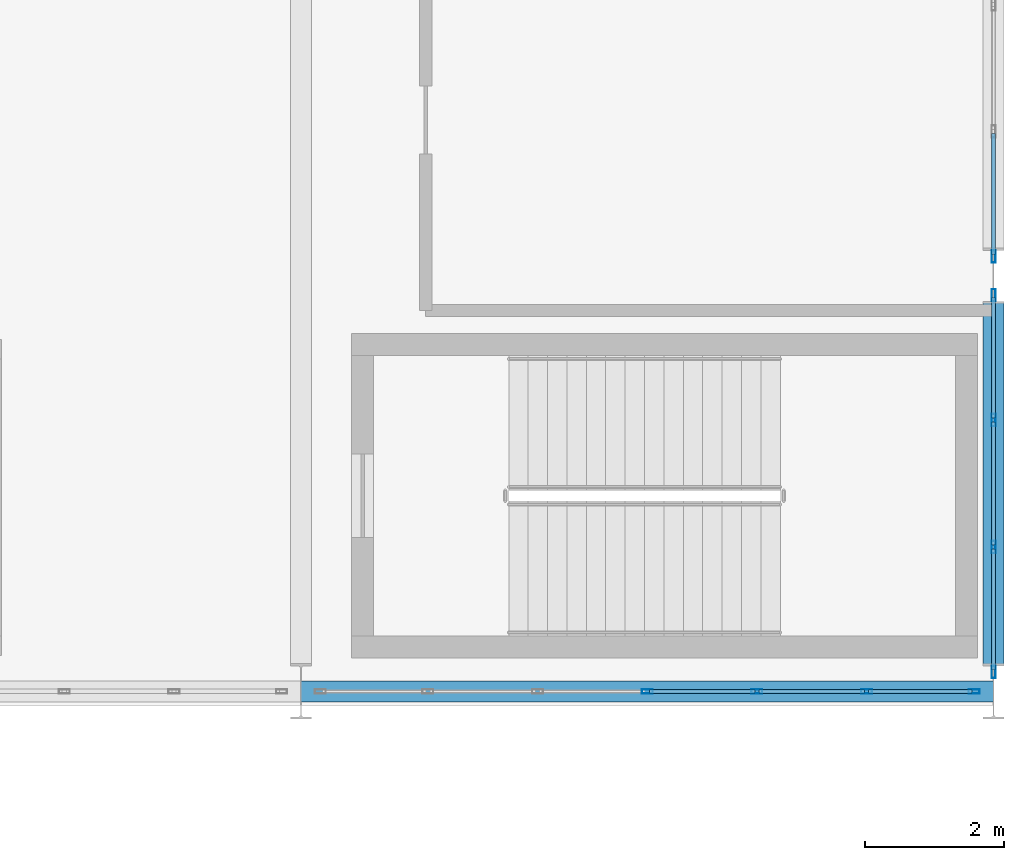
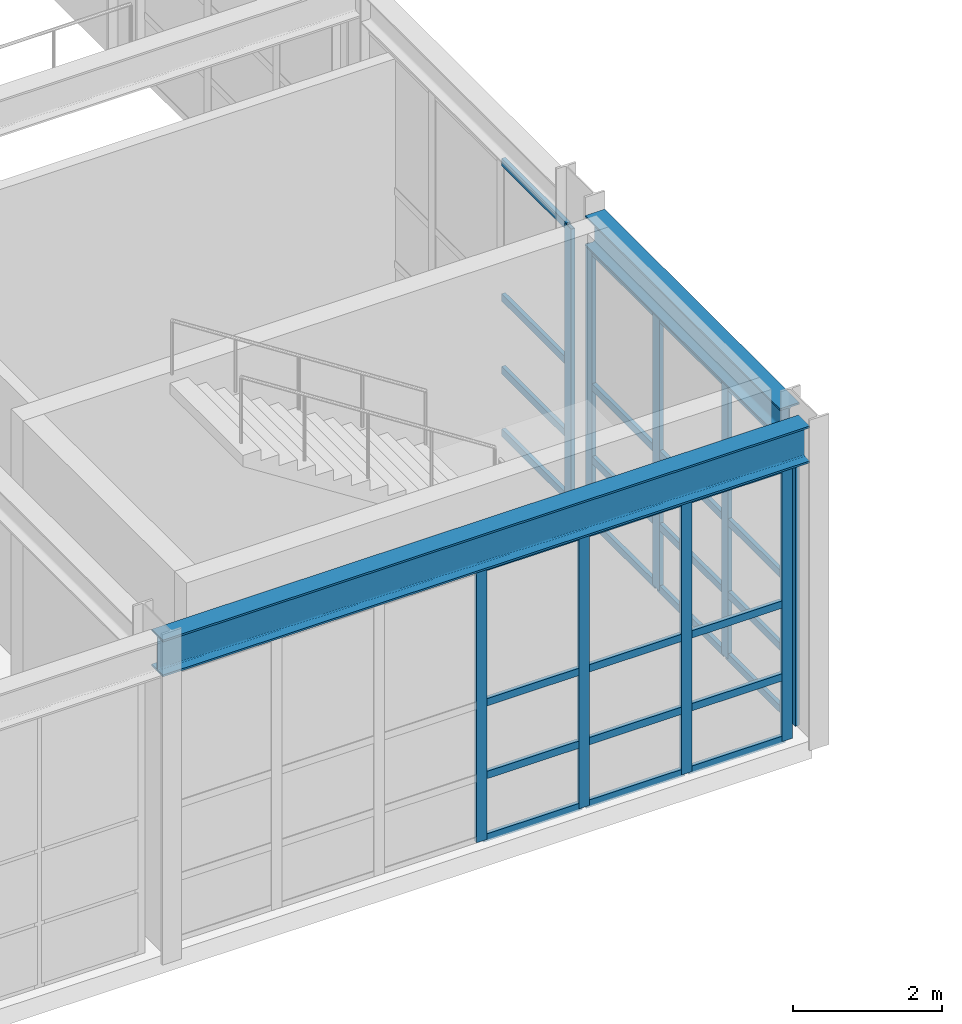
# One storey, part 115 of 210: 37 members, 2 beams, 3 elements without a shape of their own.
"""IFC4 building model written with IfcOpenShell, lengths in metres."""

from ifc_helpers import new_model, si_unit, direction, frame, origin, origin_2d, place, context, subcontext, project, spatial, hollow_rectangle, i_section, extrude, material, material_profile, profile_set, type_object, element, aggregate, save


model = new_model("IFC4")

# Units and contexts
model_context = context("Model", 3, precision=1e-05, world=origin(), true_north=direction((0.0, 1.0)))
body_context = subcontext(model_context, "Body", "Model", "MODEL_VIEW")
ifc_project = project(units=[si_unit("LENGTHUNIT", "METRE"), si_unit("AREAUNIT", "SQUARE_METRE"), si_unit("VOLUMEUNIT", "CUBIC_METRE"), si_unit("PLANEANGLEUNIT", "RADIAN"), si_unit("MASSUNIT", "GRAM", prefix="KILO")], contexts=[model_context])

# Site, building, storey
site_placement = place(None, origin())
site = spatial("IfcSite", under=ifc_project, at=site_placement, CompositionType="ELEMENT")
building_placement = place(site_placement, origin())
building = spatial("IfcBuilding", under=site, at=building_placement, Name="Kaldris Quays Convention Centre", CompositionType="ELEMENT")
storey_placement = place(building_placement, frame((0.0, 0.0, 6.0)))
storey = spatial("IfcBuildingStorey", under=building, at=storey_placement, Name="L01", CompositionType="ELEMENT", Elevation=6.0)

# Curtain wall, members
ifc_material_1 = material(Name="Anodized aluminium AW-6060 and triple glazing", Category="aluminium")
curtain_wall_type_1 = type_object("IfcCurtainWallType", Name="UNITISED CURTAIN WALL CW01", PredefinedType="NOTDEFINED", material=ifc_material_1)
curtain_wall_1_placement = place(storey_placement, origin())
curtain_wall_1 = element("IfcCurtainWall", 1, at=curtain_wall_1_placement, inside=storey, type_object=curtain_wall_type_1, Name="L01 Unitised Curtain Wall CW01 25", PredefinedType="NOTDEFINED")
ifc_material_2 = material(Name="Anodized aluminium AW-6060", Category="aluminium")
ifc_material_profile_1 = material_profile(ifc_material_2, hollow_rectangle(XDim=0.06005859375, YDim=0.159912109375, WallThickness=0.00390625, at=origin_2d()), Name="RHS 160x60x4")
ifc_profile_set_1 = profile_set([ifc_material_profile_1], Name="Anodized aluminium AW-6060")
member_type_1 = type_object("IfcMemberType", Name="CURTAIN MULLION CWM1", PredefinedType="MULLION", material=ifc_profile_set_1)
member_1_placement = place(storey_placement, frame((199.0, 56.0, 0.0), z_axis=(0.0, 0.0, 1.0), x_axis=(0.0, 1.0, 0.0)))
member_1 = element("IfcMember", 2, at=member_1_placement, type_object=member_type_1, Name="CW01 mullion 4", PredefinedType="MULLION", context=body_context, shape_type="SweptSolid", body=[
    extrude(hollow_rectangle(XDim=0.06005859375, YDim=0.159912109375, WallThickness=0.00390625, at=origin_2d()), origin(), (0.0, 0.0, 1.0), 4.47802734375),
])
member_2_placement = place(storey_placement, frame((200.583251953125, 56.0, 0.0), z_axis=(0.0, 0.0, 1.0), x_axis=(0.0, 1.0, 0.0)))
member_2 = element("IfcMember", 3, at=member_2_placement, type_object=member_type_1, Name="CW01 mullion 5", PredefinedType="MULLION", context=body_context, shape_type="SweptSolid", body=[
    extrude(hollow_rectangle(XDim=0.06005859375, YDim=0.159912109375, WallThickness=0.00390625, at=origin_2d()), origin(), (0.0, 0.0, 1.0), 4.47802734375),
])
member_3_placement = place(storey_placement, frame((202.166748046875, 56.0, 0.0), z_axis=(0.0, 0.0, 1.0), x_axis=(0.0, 1.0, 0.0)))
member_3 = element("IfcMember", 4, at=member_3_placement, type_object=member_type_1, Name="CW01 mullion 6", PredefinedType="MULLION", context=body_context, shape_type="SweptSolid", body=[
    extrude(hollow_rectangle(XDim=0.06005859375, YDim=0.159912109375, WallThickness=0.00390625, at=origin_2d()), origin(), (0.0, 0.0, 1.0), 4.47802734375),
])
member_4_placement = place(storey_placement, frame((203.719970703125, 56.0, 0.0), z_axis=(0.0, 0.0, 1.0), x_axis=(0.0, 1.0, 0.0)))
member_4 = element("IfcMember", 5, at=member_4_placement, type_object=member_type_1, Name="CW01 mullion 7", PredefinedType="MULLION", context=body_context, shape_type="SweptSolid", body=[
    extrude(hollow_rectangle(XDim=0.06005859375, YDim=0.159912109375, WallThickness=0.00390625, at=origin_2d()), origin(), (0.0, 0.0, 1.0), 4.47802734375),
])

curtain_wall_type_2 = type_object("IfcCurtainWallType", Name="UNITISED CURTAIN WALL CW02", PredefinedType="NOTDEFINED", material=ifc_material_1)
curtain_wall_2_placement = place(storey_placement, origin())
curtain_wall_2 = element("IfcCurtainWall", 6, at=curtain_wall_2_placement, inside=storey, type_object=curtain_wall_type_2, Name="L01 Unitised Curtain Wall CW02 26", PredefinedType="NOTDEFINED")
ifc_material_profile_2 = material_profile(ifc_material_2, hollow_rectangle(XDim=0.06005859375, YDim=0.179931640625, WallThickness=0.0048828125, at=origin_2d()), Name="RHS 180x60x5")
ifc_profile_set_2 = profile_set([ifc_material_profile_2], Name="Anodized aluminium AW-6060")
member_type_2 = type_object("IfcMemberType", Name="CURTAIN MULLION CWM2", PredefinedType="MULLION", material=ifc_profile_set_2)
member_5_placement = place(storey_placement, frame((204.0, 56.280029296875, 0.0), z_axis=(0.0, 0.0, 1.0), x_axis=(-1.0, 0.0, 0.0)))
member_5 = element("IfcMember", 7, at=member_5_placement, type_object=member_type_2, Name="CW02 mullion 1", PredefinedType="MULLION", context=body_context, shape_type="SweptSolid", body=[
    extrude(hollow_rectangle(XDim=0.06005859375, YDim=0.179931640625, WallThickness=0.0048828125, at=origin_2d()), origin(), (0.0, 0.0, 1.0), 4.47802734375),
])
member_6_placement = place(storey_placement, frame((204.0, 58.083251953125, 0.0), z_axis=(0.0, 0.0, 1.0), x_axis=(-1.0, 0.0, 0.0)))
member_6 = element("IfcMember", 8, at=member_6_placement, type_object=member_type_2, Name="CW02 mullion 2", PredefinedType="MULLION", context=body_context, shape_type="SweptSolid", body=[
    extrude(hollow_rectangle(XDim=0.06005859375, YDim=0.179931640625, WallThickness=0.0048828125, at=origin_2d()), origin(), (0.0, 0.0, 1.0), 4.47802734375),
])
member_7_placement = place(storey_placement, frame((204.0, 59.916748046875, 0.0), z_axis=(0.0, 0.0, 1.0), x_axis=(-1.0, 0.0, 0.0)))
member_7 = element("IfcMember", 9, at=member_7_placement, type_object=member_type_2, Name="CW02 mullion 3", PredefinedType="MULLION", context=body_context, shape_type="SweptSolid", body=[
    extrude(hollow_rectangle(XDim=0.06005859375, YDim=0.179931640625, WallThickness=0.0048828125, at=origin_2d()), origin(), (0.0, 0.0, 1.0), 4.47802734375),
])
member_8_placement = place(storey_placement, frame((204.0, 61.719970703125, 0.0), z_axis=(0.0, 0.0, 1.0), x_axis=(-1.0, 0.0, 0.0)))
member_8 = element("IfcMember", 10, at=member_8_placement, type_object=member_type_2, Name="CW02 mullion 4", PredefinedType="MULLION", context=body_context, shape_type="SweptSolid", body=[
    extrude(hollow_rectangle(XDim=0.06005859375, YDim=0.179931640625, WallThickness=0.0048828125, at=origin_2d()), origin(), (0.0, 0.0, 1.0), 4.47802734375),
])

# Curtain wall, member
curtain_wall_3_placement = place(storey_placement, origin())
curtain_wall_3 = element("IfcCurtainWall", 11, at=curtain_wall_3_placement, inside=storey, type_object=curtain_wall_type_2, Name="L01 Unitised Curtain Wall CW02 27", PredefinedType="NOTDEFINED")
member_9_placement = place(storey_placement, frame((204.0, 62.280029296875, 0.0), z_axis=(0.0, 0.0, 1.0), x_axis=(-1.0, 0.0, 0.0)))
member_9 = element("IfcMember", 12, at=member_9_placement, type_object=member_type_2, Name="CW02 mullion 1", PredefinedType="MULLION", context=body_context, shape_type="SweptSolid", body=[
    extrude(hollow_rectangle(XDim=0.06005859375, YDim=0.179931640625, WallThickness=0.0048828125, at=origin_2d()), origin(), (0.0, 0.0, 1.0), 4.47802734375),
])

# Member
ifc_material_profile_3 = material_profile(ifc_material_2, hollow_rectangle(XDim=0.06005859375, YDim=0.1201171875, WallThickness=0.00390625, at=origin_2d()), Name="RHS 120x60x4")
ifc_profile_set_3 = profile_set([ifc_material_profile_3], Name="Anodized aluminium AW-6060")
member_type_3 = type_object("IfcMemberType", Name="CURTAIN TRANSOM CWT1", PredefinedType="USERDEFINED", material=ifc_profile_set_3)
member_10_placement = place(storey_placement, frame((199.030029296875, 56.0, 0.030029296875), z_axis=(1.0, 0.0, 0.0), x_axis=(0.0, 1.0, 0.0)))
member_10 = element("IfcMember", 13, at=member_10_placement, type_object=member_type_3, Name="CW01 transom 4.1", ObjectType="TRANSOM", PredefinedType="USERDEFINED", context=body_context, shape_type="SweptSolid", body=[
    extrude(hollow_rectangle(XDim=0.06005859375, YDim=0.1201171875, WallThickness=0.00390625, at=origin_2d()), origin(), (0.0, 0.0, 1.0), 1.523193359375),
])

member_11_placement = place(storey_placement, frame((199.030029296875, 56.0, 1.050048828125), z_axis=(1.0, 0.0, 0.0), x_axis=(0.0, 1.0, 0.0)))
member_11 = element("IfcMember", 14, at=member_11_placement, type_object=member_type_3, Name="CW01 transom 4.2", ObjectType="TRANSOM", PredefinedType="USERDEFINED", context=body_context, shape_type="SweptSolid", body=[
    extrude(hollow_rectangle(XDim=0.06005859375, YDim=0.1201171875, WallThickness=0.00390625, at=origin_2d()), origin(), (0.0, 0.0, 1.0), 1.523193359375),
])

member_12_placement = place(storey_placement, frame((199.030029296875, 56.0, 2.239013671875), z_axis=(1.0, 0.0, 0.0), x_axis=(0.0, 1.0, 0.0)))
member_12 = element("IfcMember", 15, at=member_12_placement, type_object=member_type_3, Name="CW01 transom 4.3", ObjectType="TRANSOM", PredefinedType="USERDEFINED", context=body_context, shape_type="SweptSolid", body=[
    extrude(hollow_rectangle(XDim=0.06005859375, YDim=0.1201171875, WallThickness=0.00390625, at=origin_2d()), origin(), (0.0, 0.0, 1.0), 1.523193359375),
])

member_13_placement = place(storey_placement, frame((199.030029296875, 56.0, 4.447998046875), z_axis=(1.0, 0.0, 0.0), x_axis=(0.0, 1.0, 0.0)))
member_13 = element("IfcMember", 16, at=member_13_placement, type_object=member_type_3, Name="CW01 transom 4.4", ObjectType="TRANSOM", PredefinedType="USERDEFINED", context=body_context, shape_type="SweptSolid", body=[
    extrude(hollow_rectangle(XDim=0.06005859375, YDim=0.1201171875, WallThickness=0.00390625, at=origin_2d()), origin(), (0.0, 0.0, 1.0), 1.523193359375),
])

member_14_placement = place(storey_placement, frame((200.61328125, 56.0, 0.030029296875), z_axis=(1.0, 0.0, 0.0), x_axis=(0.0, 1.0, 0.0)))
member_14 = element("IfcMember", 17, at=member_14_placement, type_object=member_type_3, Name="CW01 transom 5.1", ObjectType="TRANSOM", PredefinedType="USERDEFINED", context=body_context, shape_type="SweptSolid", body=[
    extrude(hollow_rectangle(XDim=0.06005859375, YDim=0.1201171875, WallThickness=0.00390625, at=origin_2d()), origin(), (0.0, 0.0, 1.0), 1.5234375),
])

member_15_placement = place(storey_placement, frame((200.61328125, 56.0, 1.050048828125), z_axis=(1.0, 0.0, 0.0), x_axis=(0.0, 1.0, 0.0)))
member_15 = element("IfcMember", 18, at=member_15_placement, type_object=member_type_3, Name="CW01 transom 5.2", ObjectType="TRANSOM", PredefinedType="USERDEFINED", context=body_context, shape_type="SweptSolid", body=[
    extrude(hollow_rectangle(XDim=0.06005859375, YDim=0.1201171875, WallThickness=0.00390625, at=origin_2d()), origin(), (0.0, 0.0, 1.0), 1.5234375),
])

member_16_placement = place(storey_placement, frame((200.61328125, 56.0, 2.239013671875), z_axis=(1.0, 0.0, 0.0), x_axis=(0.0, 1.0, 0.0)))
member_16 = element("IfcMember", 19, at=member_16_placement, type_object=member_type_3, Name="CW01 transom 5.3", ObjectType="TRANSOM", PredefinedType="USERDEFINED", context=body_context, shape_type="SweptSolid", body=[
    extrude(hollow_rectangle(XDim=0.06005859375, YDim=0.1201171875, WallThickness=0.00390625, at=origin_2d()), origin(), (0.0, 0.0, 1.0), 1.5234375),
])

member_17_placement = place(storey_placement, frame((200.61328125, 56.0, 4.447998046875), z_axis=(1.0, 0.0, 0.0), x_axis=(0.0, 1.0, 0.0)))
member_17 = element("IfcMember", 20, at=member_17_placement, type_object=member_type_3, Name="CW01 transom 5.4", ObjectType="TRANSOM", PredefinedType="USERDEFINED", context=body_context, shape_type="SweptSolid", body=[
    extrude(hollow_rectangle(XDim=0.06005859375, YDim=0.1201171875, WallThickness=0.00390625, at=origin_2d()), origin(), (0.0, 0.0, 1.0), 1.5234375),
])

member_18_placement = place(storey_placement, frame((202.19677734375, 56.0, 0.030029296875), z_axis=(1.0, 0.0, 0.0), x_axis=(0.0, 1.0, 0.0)))
member_18 = element("IfcMember", 21, at=member_18_placement, type_object=member_type_3, Name="CW01 transom 6.1", ObjectType="TRANSOM", PredefinedType="USERDEFINED", context=body_context, shape_type="SweptSolid", body=[
    extrude(hollow_rectangle(XDim=0.06005859375, YDim=0.1201171875, WallThickness=0.00390625, at=origin_2d()), origin(), (0.0, 0.0, 1.0), 1.4931640625),
])

member_19_placement = place(storey_placement, frame((202.19677734375, 56.0, 1.050048828125), z_axis=(1.0, 0.0, 0.0), x_axis=(0.0, 1.0, 0.0)))
member_19 = element("IfcMember", 22, at=member_19_placement, type_object=member_type_3, Name="CW01 transom 6.2", ObjectType="TRANSOM", PredefinedType="USERDEFINED", context=body_context, shape_type="SweptSolid", body=[
    extrude(hollow_rectangle(XDim=0.06005859375, YDim=0.1201171875, WallThickness=0.00390625, at=origin_2d()), origin(), (0.0, 0.0, 1.0), 1.4931640625),
])

member_20_placement = place(storey_placement, frame((202.19677734375, 56.0, 2.239013671875), z_axis=(1.0, 0.0, 0.0), x_axis=(0.0, 1.0, 0.0)))
member_20 = element("IfcMember", 23, at=member_20_placement, type_object=member_type_3, Name="CW01 transom 6.3", ObjectType="TRANSOM", PredefinedType="USERDEFINED", context=body_context, shape_type="SweptSolid", body=[
    extrude(hollow_rectangle(XDim=0.06005859375, YDim=0.1201171875, WallThickness=0.00390625, at=origin_2d()), origin(), (0.0, 0.0, 1.0), 1.4931640625),
])

member_21_placement = place(storey_placement, frame((202.19677734375, 56.0, 4.447998046875), z_axis=(1.0, 0.0, 0.0), x_axis=(0.0, 1.0, 0.0)))
member_21 = element("IfcMember", 24, at=member_21_placement, type_object=member_type_3, Name="CW01 transom 6.4", ObjectType="TRANSOM", PredefinedType="USERDEFINED", context=body_context, shape_type="SweptSolid", body=[
    extrude(hollow_rectangle(XDim=0.06005859375, YDim=0.1201171875, WallThickness=0.00390625, at=origin_2d()), origin(), (0.0, 0.0, 1.0), 1.4931640625),
])

aggregate(curtain_wall_1, [member_1, member_2, member_3, member_4, member_10, member_11, member_12, member_13, member_14, member_15, member_16, member_17, member_18, member_19, member_20, member_21])

member_22_placement = place(storey_placement, frame((204.0, 56.31005859375, 0.030029296875), z_axis=(0.0, 1.0, 0.0), x_axis=(-1.0, 0.0, 0.0)))
member_22 = element("IfcMember", 25, at=member_22_placement, type_object=member_type_3, Name="CW02 transom 1.1", ObjectType="TRANSOM", PredefinedType="USERDEFINED", context=body_context, shape_type="SweptSolid", body=[
    extrude(hollow_rectangle(XDim=0.06005859375, YDim=0.1201171875, WallThickness=0.00390625, at=origin_2d()), origin(), (0.0, 0.0, 1.0), 1.7431640625),
])

member_23_placement = place(storey_placement, frame((204.0, 56.31005859375, 1.050048828125), z_axis=(0.0, 1.0, 0.0), x_axis=(-1.0, 0.0, 0.0)))
member_23 = element("IfcMember", 26, at=member_23_placement, type_object=member_type_3, Name="CW02 transom 1.2", ObjectType="TRANSOM", PredefinedType="USERDEFINED", context=body_context, shape_type="SweptSolid", body=[
    extrude(hollow_rectangle(XDim=0.06005859375, YDim=0.1201171875, WallThickness=0.00390625, at=origin_2d()), origin(), (0.0, 0.0, 1.0), 1.7431640625),
])

member_24_placement = place(storey_placement, frame((204.0, 56.31005859375, 2.239013671875), z_axis=(0.0, 1.0, 0.0), x_axis=(-1.0, 0.0, 0.0)))
member_24 = element("IfcMember", 27, at=member_24_placement, type_object=member_type_3, Name="CW02 transom 1.3", ObjectType="TRANSOM", PredefinedType="USERDEFINED", context=body_context, shape_type="SweptSolid", body=[
    extrude(hollow_rectangle(XDim=0.06005859375, YDim=0.1201171875, WallThickness=0.00390625, at=origin_2d()), origin(), (0.0, 0.0, 1.0), 1.7431640625),
])

member_25_placement = place(storey_placement, frame((204.0, 56.31005859375, 4.447998046875), z_axis=(0.0, 1.0, 0.0), x_axis=(-1.0, 0.0, 0.0)))
member_25 = element("IfcMember", 28, at=member_25_placement, type_object=member_type_3, Name="CW02 transom 1.4", ObjectType="TRANSOM", PredefinedType="USERDEFINED", context=body_context, shape_type="SweptSolid", body=[
    extrude(hollow_rectangle(XDim=0.06005859375, YDim=0.1201171875, WallThickness=0.00390625, at=origin_2d()), origin(), (0.0, 0.0, 1.0), 1.7431640625),
])

member_26_placement = place(storey_placement, frame((204.0, 58.11328125, 0.030029296875), z_axis=(0.0, 1.0, 0.0), x_axis=(-1.0, 0.0, 0.0)))
member_26 = element("IfcMember", 29, at=member_26_placement, type_object=member_type_3, Name="CW02 transom 2.1", ObjectType="TRANSOM", PredefinedType="USERDEFINED", context=body_context, shape_type="SweptSolid", body=[
    extrude(hollow_rectangle(XDim=0.06005859375, YDim=0.1201171875, WallThickness=0.00390625, at=origin_2d()), origin(), (0.0, 0.0, 1.0), 1.7734375),
])

member_27_placement = place(storey_placement, frame((204.0, 58.11328125, 1.050048828125), z_axis=(0.0, 1.0, 0.0), x_axis=(-1.0, 0.0, 0.0)))
member_27 = element("IfcMember", 30, at=member_27_placement, type_object=member_type_3, Name="CW02 transom 2.2", ObjectType="TRANSOM", PredefinedType="USERDEFINED", context=body_context, shape_type="SweptSolid", body=[
    extrude(hollow_rectangle(XDim=0.06005859375, YDim=0.1201171875, WallThickness=0.00390625, at=origin_2d()), origin(), (0.0, 0.0, 1.0), 1.7734375),
])

member_28_placement = place(storey_placement, frame((204.0, 58.11328125, 2.239013671875), z_axis=(0.0, 1.0, 0.0), x_axis=(-1.0, 0.0, 0.0)))
member_28 = element("IfcMember", 31, at=member_28_placement, type_object=member_type_3, Name="CW02 transom 2.3", ObjectType="TRANSOM", PredefinedType="USERDEFINED", context=body_context, shape_type="SweptSolid", body=[
    extrude(hollow_rectangle(XDim=0.06005859375, YDim=0.1201171875, WallThickness=0.00390625, at=origin_2d()), origin(), (0.0, 0.0, 1.0), 1.7734375),
])

member_29_placement = place(storey_placement, frame((204.0, 58.11328125, 4.447998046875), z_axis=(0.0, 1.0, 0.0), x_axis=(-1.0, 0.0, 0.0)))
member_29 = element("IfcMember", 32, at=member_29_placement, type_object=member_type_3, Name="CW02 transom 2.4", ObjectType="TRANSOM", PredefinedType="USERDEFINED", context=body_context, shape_type="SweptSolid", body=[
    extrude(hollow_rectangle(XDim=0.06005859375, YDim=0.1201171875, WallThickness=0.00390625, at=origin_2d()), origin(), (0.0, 0.0, 1.0), 1.7734375),
])

member_30_placement = place(storey_placement, frame((204.0, 59.94677734375, 0.030029296875), z_axis=(0.0, 1.0, 0.0), x_axis=(-1.0, 0.0, 0.0)))
member_30 = element("IfcMember", 33, at=member_30_placement, type_object=member_type_3, Name="CW02 transom 3.1", ObjectType="TRANSOM", PredefinedType="USERDEFINED", context=body_context, shape_type="SweptSolid", body=[
    extrude(hollow_rectangle(XDim=0.06005859375, YDim=0.1201171875, WallThickness=0.00390625, at=origin_2d()), origin(), (0.0, 0.0, 1.0), 1.7431640625),
])

member_31_placement = place(storey_placement, frame((204.0, 59.94677734375, 1.050048828125), z_axis=(0.0, 1.0, 0.0), x_axis=(-1.0, 0.0, 0.0)))
member_31 = element("IfcMember", 34, at=member_31_placement, type_object=member_type_3, Name="CW02 transom 3.2", ObjectType="TRANSOM", PredefinedType="USERDEFINED", context=body_context, shape_type="SweptSolid", body=[
    extrude(hollow_rectangle(XDim=0.06005859375, YDim=0.1201171875, WallThickness=0.00390625, at=origin_2d()), origin(), (0.0, 0.0, 1.0), 1.7431640625),
])

member_32_placement = place(storey_placement, frame((204.0, 59.94677734375, 2.239013671875), z_axis=(0.0, 1.0, 0.0), x_axis=(-1.0, 0.0, 0.0)))
member_32 = element("IfcMember", 35, at=member_32_placement, type_object=member_type_3, Name="CW02 transom 3.3", ObjectType="TRANSOM", PredefinedType="USERDEFINED", context=body_context, shape_type="SweptSolid", body=[
    extrude(hollow_rectangle(XDim=0.06005859375, YDim=0.1201171875, WallThickness=0.00390625, at=origin_2d()), origin(), (0.0, 0.0, 1.0), 1.7431640625),
])

member_33_placement = place(storey_placement, frame((204.0, 59.94677734375, 4.447998046875), z_axis=(0.0, 1.0, 0.0), x_axis=(-1.0, 0.0, 0.0)))
member_33 = element("IfcMember", 36, at=member_33_placement, type_object=member_type_3, Name="CW02 transom 3.4", ObjectType="TRANSOM", PredefinedType="USERDEFINED", context=body_context, shape_type="SweptSolid", body=[
    extrude(hollow_rectangle(XDim=0.06005859375, YDim=0.1201171875, WallThickness=0.00390625, at=origin_2d()), origin(), (0.0, 0.0, 1.0), 1.7431640625),
])

aggregate(curtain_wall_2, [member_5, member_6, member_7, member_8, member_22, member_23, member_24, member_25, member_26, member_27, member_28, member_29, member_30, member_31, member_32, member_33])

member_34_placement = place(storey_placement, frame((204.0, 62.31005859375, 0.030029296875), z_axis=(0.0, 1.0, 0.0), x_axis=(-1.0, 0.0, 0.0)))
member_34 = element("IfcMember", 37, at=member_34_placement, type_object=member_type_3, Name="CW02 transom 1.1", ObjectType="TRANSOM", PredefinedType="USERDEFINED", context=body_context, shape_type="SweptSolid", body=[
    extrude(hollow_rectangle(XDim=0.06005859375, YDim=0.1201171875, WallThickness=0.00390625, at=origin_2d()), origin(), (0.0, 0.0, 1.0), 1.7431640625),
])

member_35_placement = place(storey_placement, frame((204.0, 62.31005859375, 1.050048828125), z_axis=(0.0, 1.0, 0.0), x_axis=(-1.0, 0.0, 0.0)))
member_35 = element("IfcMember", 38, at=member_35_placement, type_object=member_type_3, Name="CW02 transom 1.2", ObjectType="TRANSOM", PredefinedType="USERDEFINED", context=body_context, shape_type="SweptSolid", body=[
    extrude(hollow_rectangle(XDim=0.06005859375, YDim=0.1201171875, WallThickness=0.00390625, at=origin_2d()), origin(), (0.0, 0.0, 1.0), 1.7431640625),
])

member_36_placement = place(storey_placement, frame((204.0, 62.31005859375, 2.239013671875), z_axis=(0.0, 1.0, 0.0), x_axis=(-1.0, 0.0, 0.0)))
member_36 = element("IfcMember", 39, at=member_36_placement, type_object=member_type_3, Name="CW02 transom 1.3", ObjectType="TRANSOM", PredefinedType="USERDEFINED", context=body_context, shape_type="SweptSolid", body=[
    extrude(hollow_rectangle(XDim=0.06005859375, YDim=0.1201171875, WallThickness=0.00390625, at=origin_2d()), origin(), (0.0, 0.0, 1.0), 1.7431640625),
])

member_37_placement = place(storey_placement, frame((204.0, 62.31005859375, 4.447998046875), z_axis=(0.0, 1.0, 0.0), x_axis=(-1.0, 0.0, 0.0)))
member_37 = element("IfcMember", 40, at=member_37_placement, type_object=member_type_3, Name="CW02 transom 1.4", ObjectType="TRANSOM", PredefinedType="USERDEFINED", context=body_context, shape_type="SweptSolid", body=[
    extrude(hollow_rectangle(XDim=0.06005859375, YDim=0.1201171875, WallThickness=0.00390625, at=origin_2d()), origin(), (0.0, 0.0, 1.0), 1.7431640625),
])

aggregate(curtain_wall_3, [member_9, member_34, member_35, member_36, member_37])

# Beams
ifc_material_3 = material(Name="Steel S355J2", Category="steel")
ifc_material_profile_4 = material_profile(ifc_material_3, i_section(OverallWidth=0.300048828125, OverallDepth=0.60009765625, WebThickness=0.015380859375, FlangeThickness=0.030029296875, FilletRadius=0.027099609375, at=origin_2d()), Name="HEB 600")
ifc_profile_set_4 = profile_set([ifc_material_profile_4], Name="Steel S355J2")
beam_type_1 = type_object("IfcBeamType", Name="STRUCTURAL BEAM BM05", PredefinedType="BEAM", material=ifc_profile_set_4)
beam_1_placement = place(storey_placement, frame((194.002685546875, 56.0, 4.802978515625), z_axis=(1.0, 0.0, 0.0), x_axis=(0.0, 1.0, 0.0)))
element("IfcBeam", 41, at=beam_1_placement, inside=storey, type_object=beam_type_1, Name="L01 Girder BM05 4", PredefinedType="BEAM", context=body_context, shape_type="SweptSolid", body=[
    extrude(i_section(OverallWidth=0.300048828125, OverallDepth=0.60009765625, WebThickness=0.015380859375, FlangeThickness=0.030029296875, FilletRadius=0.027099609375, at=origin_2d()), origin(), (0.0, 0.0, 1.0), 9.99462890625),
])
ifc_material_profile_5 = material_profile(ifc_material_3, i_section(OverallWidth=0.300048828125, OverallDepth=0.5, WebThickness=0.014404296875, FlangeThickness=0.028076171875, FilletRadius=0.027099609375, at=origin_2d()), Name="HEB 500")
ifc_profile_set_5 = profile_set([ifc_material_profile_5], Name="Steel S355J2")
beam_type_2 = type_object("IfcBeamType", Name="STRUCTURAL BEAM BM06", PredefinedType="BEAM", material=ifc_profile_set_5)
beam_2_placement = place(storey_placement, frame((204.0, 56.39404296875, 4.85302734375), z_axis=(0.0, 1.0, 0.0), x_axis=(-1.0, 0.0, 0.0)))
element("IfcBeam", 42, at=beam_2_placement, inside=storey, type_object=beam_type_2, Name="L01 Girder BM06 19", PredefinedType="BEAM", context=body_context, shape_type="SweptSolid", body=[
    extrude(i_section(OverallWidth=0.300048828125, OverallDepth=0.5, WebThickness=0.014404296875, FlangeThickness=0.028076171875, FilletRadius=0.027099609375, at=origin_2d()), origin(), (0.0, 0.0, 1.0), 5.2119140625),
])

save(model, "model.ifc")
